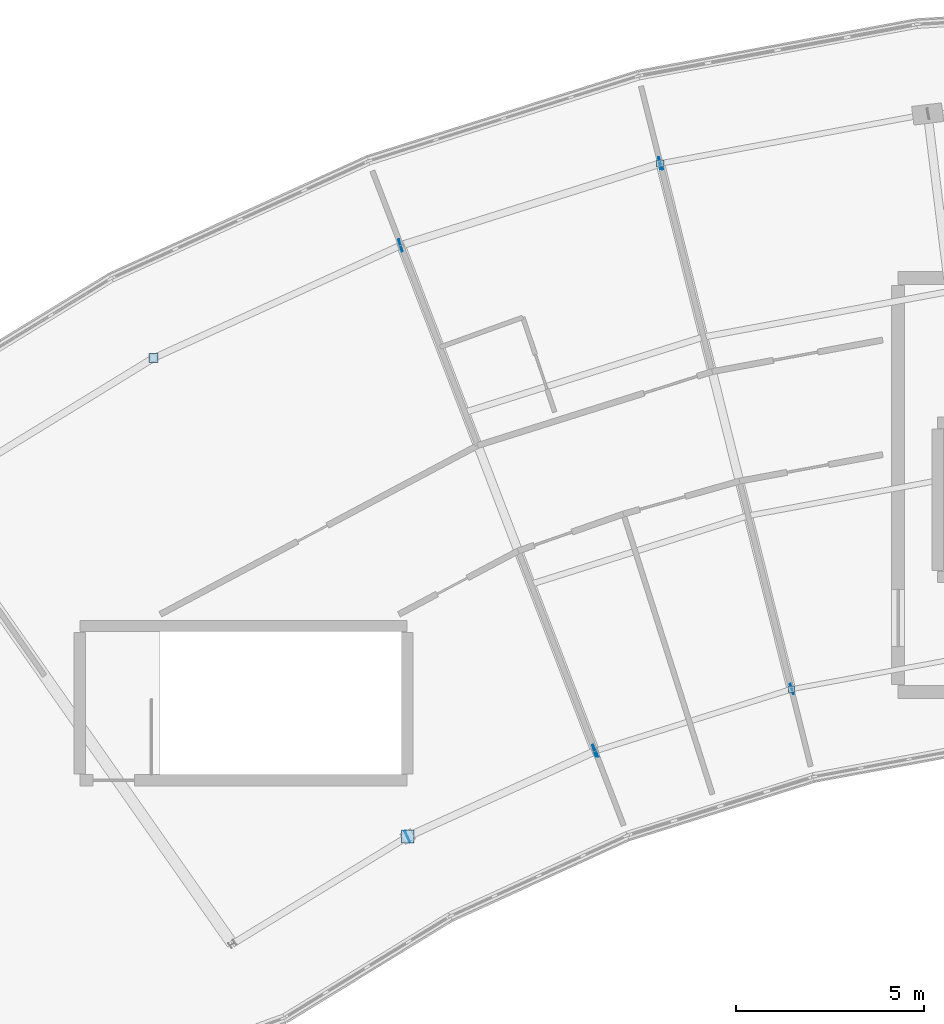
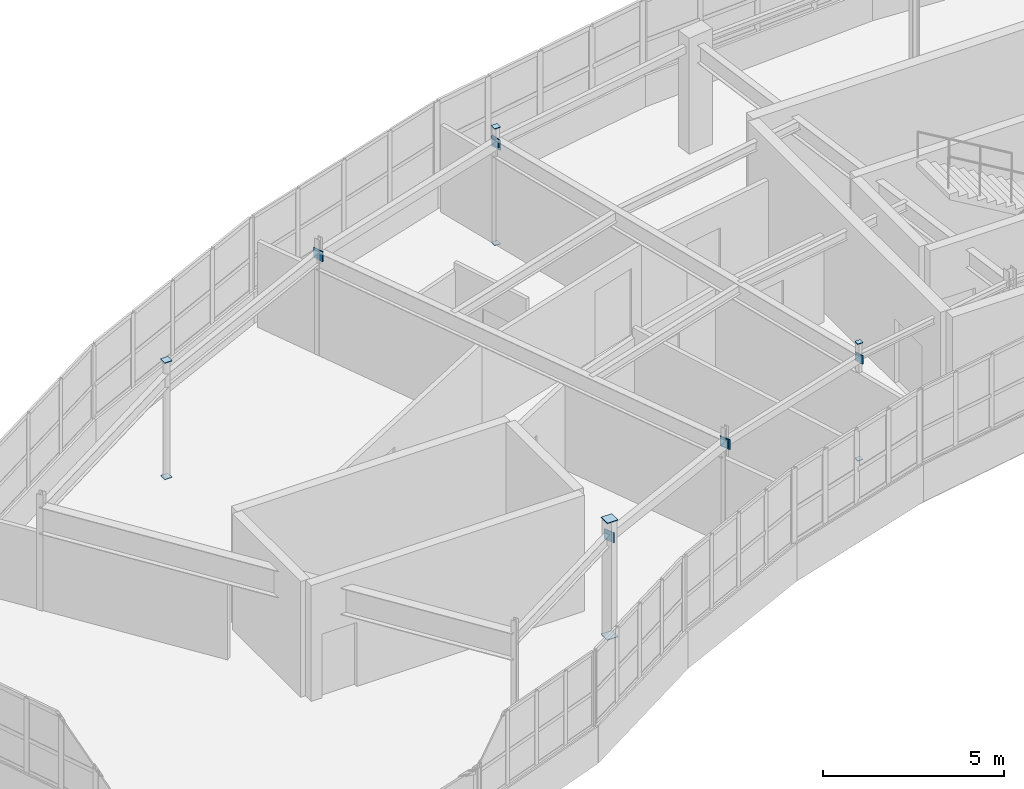
# One storey, part 49 of 60: 15 plates.
"""IFC4 building model written with IfcOpenShell, lengths in metres."""

from ifc_helpers import new_model, si_unit, direction, frame, origin, origin_2d, place, context, subcontext, project, spatial, rectangle, extrude, material, layer, layer_set, type_object, element, save


model = new_model("IFC4")

# Units and contexts
model_context = context("Model", 3, precision=1e-05, world=origin(), true_north=direction((0.0, 1.0)))
body_context = subcontext(model_context, "Body", "Model", "MODEL_VIEW")
ifc_project = project(units=[si_unit("LENGTHUNIT", "METRE"), si_unit("AREAUNIT", "SQUARE_METRE"), si_unit("VOLUMEUNIT", "CUBIC_METRE"), si_unit("PLANEANGLEUNIT", "RADIAN"), si_unit("MASSUNIT", "GRAM", prefix="KILO")], contexts=[model_context])

# Site, building, storey
site_placement = place(None, origin())
site = spatial("IfcSite", under=ifc_project, at=site_placement, CompositionType="ELEMENT")
building_placement = place(site_placement, origin())
building = spatial("IfcBuilding", under=site, at=building_placement, Name="Tarnwether General Hospital", CompositionType="ELEMENT")
storey_placement = place(building_placement, frame((0.0, 0.0, 26.10009765625)))
storey = spatial("IfcBuildingStorey", under=building, at=storey_placement, Name="L06", CompositionType="ELEMENT", Elevation=26.10009765625)

# Plates
ifc_material = material(Name="Steel Grade 350 (350 MPa)", Category="steel")
ifc_layer = layer(ifc_material, 0.02490234375)
ifc_layer_set = layer_set([ifc_layer], Name="Steel Grade 350 (350 MPa)")
plate_type = type_object("IfcPlateType", Name="PT-GUS2", PredefinedType="USERDEFINED", material=ifc_layer_set)
for number, where, z_axis, x_axis, name in (
    (1, (64.20703125, 115.27001953125, -0.025146484375), (0.0, 0.0, 1.0), (1.0, 0.0, 0.0), "Hollow Section Welded End Cap Plate 0469"),
    (2, (64.20703125, 115.27001953125, 3.89990234375), (0.0, 0.0, 1.0), (1.0, 0.0, 0.0), "Hollow Section Welded End Cap Plate 0470"),
):
    element("IfcPlate", number, at=place(storey_placement, frame(where, z_axis=z_axis, x_axis=x_axis)), inside=storey, type_object=plate_type, Name=name, ObjectType="GUSSET", PredefinedType="USERDEFINED", context=body_context, shape_type="SweptSolid", body=[
        extrude(rectangle(XDim=0.23388671875, YDim=0.23388671875, at=origin_2d()), origin(), (0.0, 0.0, 1.0), 0.02490234375),
    ])
for number, where, z_axis, x_axis, name in (
    (3, (70.968017578125, 102.555908203125, -0.025146484375), (0.0, 0.0, 1.0), (1.0, 0.0, 0.0), "Hollow Section Welded End Cap Plate 0475"),
    (4, (70.968017578125, 102.555908203125, 3.89990234375), (0.0, 0.0, 1.0), (1.0, 0.0, 0.0), "Hollow Section Welded End Cap Plate 0476"),
):
    element("IfcPlate", number, at=place(storey_placement, frame(where, z_axis=z_axis, x_axis=x_axis)), inside=storey, type_object=plate_type, Name=name, ObjectType="GUSSET", PredefinedType="USERDEFINED", context=body_context, shape_type="SweptSolid", body=[
        extrude(rectangle(XDim=0.340087890625, YDim=0.340087890625, at=origin_2d()), origin(), (0.0, 0.0, 1.0), 0.02490234375),
    ])
for number, where, z_axis, x_axis, name in (
    (5, (77.677978515625, 120.44189453125, -0.025146484375), (0.0, 0.0, 1.0), (1.0, 0.0, 0.0), "Hollow Section Welded End Cap Plate 0495"),
    (6, (77.677978515625, 120.44189453125, 3.89990234375), (0.0, 0.0, 1.0), (1.0, 0.0, 0.0), "Hollow Section Welded End Cap Plate 0496"),
):
    element("IfcPlate", number, at=place(storey_placement, frame(where, z_axis=z_axis, x_axis=x_axis)), inside=storey, type_object=plate_type, Name=name, ObjectType="GUSSET", PredefinedType="USERDEFINED", context=body_context, shape_type="SweptSolid", body=[
        extrude(rectangle(XDim=0.18994140625, YDim=0.18994140625, at=origin_2d()), origin(), (0.0, 0.0, 1.0), 0.02490234375),
    ])
for number, where, z_axis, x_axis, name in (
    (7, (81.162109375, 106.468994140625, -0.025146484375), (0.0, 0.0, 1.0), (1.0, 0.0, 0.0), "Hollow Section Welded End Cap Plate 0505"),
    (8, (81.162109375, 106.468994140625, 3.89990234375), (0.0, 0.0, 1.0), (1.0, 0.0, 0.0), "Hollow Section Welded End Cap Plate 0506"),
):
    element("IfcPlate", number, at=place(storey_placement, frame(where, z_axis=z_axis, x_axis=x_axis)), inside=storey, type_object=plate_type, Name=name, ObjectType="GUSSET", PredefinedType="USERDEFINED", context=body_context, shape_type="SweptSolid", body=[
        extrude(rectangle(XDim=0.1650390625, YDim=0.1650390625, at=origin_2d()), origin(), (0.0, 0.0, 1.0), 0.02490234375),
    ])
for number, where, z_axis, x_axis, name in (
    (9, (70.95654296875, 102.55078125, 3.1796875), (0.0, 0.0, 1.0), (0.9099685085, 0.414677360773, 0.0), "Hollow Section Welded End Cap Plate 1059"),
    (10, (75.956298828125, 104.8291015625, 3.1796875), (0.0, 0.0, 1.0), (0.9099685085, 0.414677360773, 0.0), "Hollow Section Welded End Cap Plate 1060"),
    (11, (70.773193359375, 118.26416015625, 3.1796875), (0.0, 0.0, 1.0), (0.953690705585, 0.300789025864, 0.0), "Hollow Section Welded End Cap Plate 1061"),
    (12, (77.68994140625, 120.44580078125, 3.1796875), (0.0, 0.0, 1.0), (0.953690705585, 0.300789025864, 0.0), "Hollow Section Welded End Cap Plate 1062"),
):
    element("IfcPlate", number, at=place(storey_placement, frame(where, z_axis=z_axis, x_axis=x_axis)), inside=storey, type_object=plate_type, Name=name, ObjectType="GUSSET", PredefinedType="USERDEFINED", context=body_context, shape_type="SweptSolid", body=[
        extrude(rectangle(XDim=0.02490234375, YDim=0.340087890625, at=origin_2d()), origin(), (0.0, 0.0, 1.0), 0.340087890625),
    ])
for number, where, z_axis, x_axis, name in (
    (13, (75.93310546875, 104.8203125, 3.22998046875), (0.0, 0.0, 1.0), (0.953711702297, 0.300722444959, 0.0), "Hollow Section Welded End Cap Plate 1063"),
    (14, (81.173828125, 106.472900390625, 3.22998046875), (0.0, 0.0, 1.0), (0.953711702297, 0.300722444959, 0.0), "Hollow Section Welded End Cap Plate 1064"),
    (15, (77.665771484375, 120.439697265625, 3.27490234375), (0.0, 0.0, 1.0), (0.983261268185, 0.18220120331, 0.0), "Hollow Section Welded End Cap Plate 1065"),
):
    element("IfcPlate", number, at=place(storey_placement, frame(where, z_axis=z_axis, x_axis=x_axis)), inside=storey, type_object=plate_type, Name=name, ObjectType="GUSSET", PredefinedType="USERDEFINED", context=body_context, shape_type="SweptSolid", body=[
        extrude(rectangle(XDim=0.02490234375, YDim=0.2900390625, at=origin_2d()), origin(), (0.0, 0.0, 1.0), 0.2900390625),
    ])

save(model, "model.ifc")
